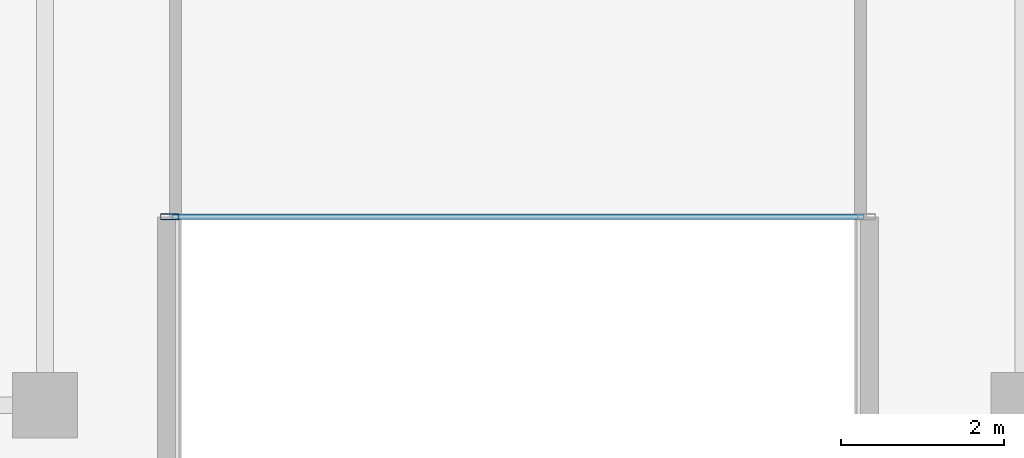
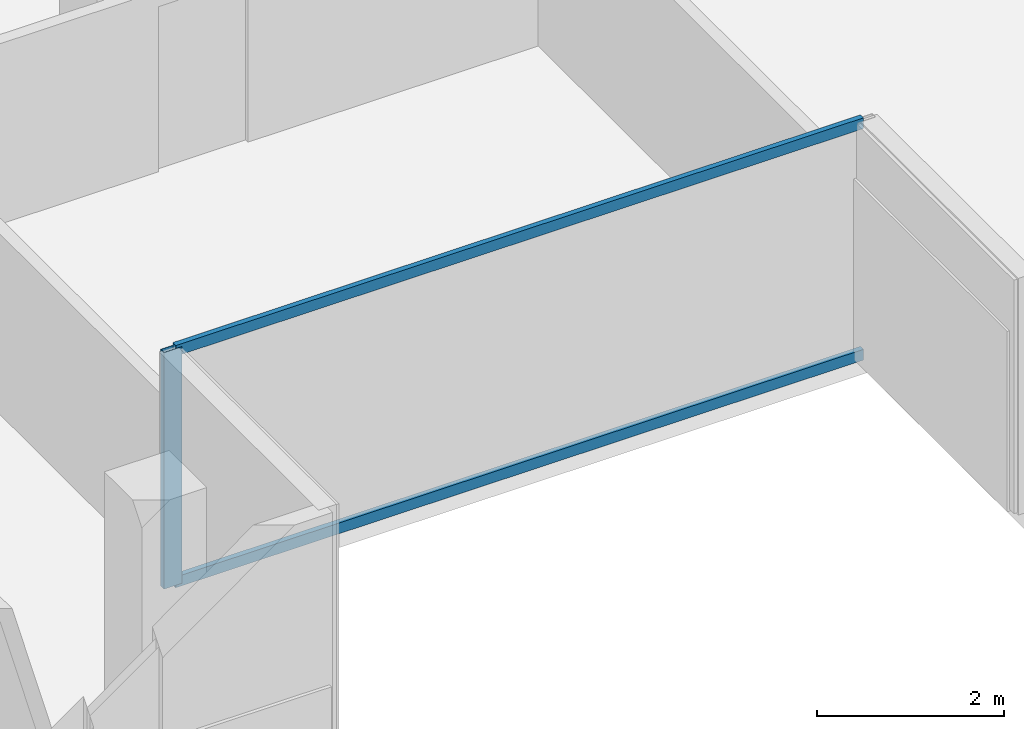
# One storey, part 4 of 29: 3 members, 1 element without a shape of its own.
"""IFC4 building model written with IfcOpenShell, lengths in metres."""

from ifc_helpers import new_model, si_unit, direction, frame, origin, origin_2d, place, context, subcontext, project, spatial, hollow_rectangle, extrude, material, layer, layer_set, material_profile, profile_set, type_object, element, aggregate, save


model = new_model("IFC4")

# Units and contexts
model_context = context("Model", 3, precision=1e-05, world=origin(), true_north=direction((0.0, 1.0)))
body_context = subcontext(model_context, "Body", "Model", "MODEL_VIEW")
ifc_project = project(units=[si_unit("LENGTHUNIT", "METRE"), si_unit("AREAUNIT", "SQUARE_METRE"), si_unit("VOLUMEUNIT", "CUBIC_METRE"), si_unit("PLANEANGLEUNIT", "RADIAN"), si_unit("MASSUNIT", "GRAM", prefix="KILO")], contexts=[model_context])

# Site, building, storey
site_placement = place(None, origin())
site = spatial("IfcSite", under=ifc_project, at=site_placement, CompositionType="ELEMENT")
building_placement = place(site_placement, origin())
building = spatial("IfcBuilding", under=site, at=building_placement, Name="Tanjung Sevakor Pilgrim Tower", CompositionType="ELEMENT")
storey_placement = place(building_placement, frame((0.0, 0.0, 181.830078125)))
storey = spatial("IfcBuildingStorey", under=building, at=storey_placement, Name="L50", CompositionType="ELEMENT", Elevation=181.830078125)

# Curtain wall, members
ifc_material_1 = material(Name="Aluminium 6063-T6 and Low-E Glass", Category="aluminium")
ifc_layer = layer(ifc_material_1, 0.179931640625)
ifc_layer_set = layer_set([ifc_layer], Name="CW-SYS-CLEFT")
curtain_wall_type = type_object("IfcCurtainWallType", Name="CW-SYS-CLEFT", PredefinedType="NOTDEFINED", material=ifc_layer_set)
curtain_wall_placement = place(storey_placement, origin())
curtain_wall = element("IfcCurtainWall", 1, at=curtain_wall_placement, inside=storey, type_object=curtain_wall_type, Name="L50 Curtain Wall CW-CLF-L50-2", PredefinedType="NOTDEFINED")
ifc_material_2 = material(Name="Aluminium 6063-T6", Category="aluminium")
ifc_material_profile_1 = material_profile(ifc_material_2, hollow_rectangle(XDim=0.074951171875, YDim=0.219970703125, WallThickness=0.0048828125, at=origin_2d()))
ifc_profile_set_1 = profile_set([ifc_material_profile_1], Name="Aluminium 6063-T6")
member_type_1 = type_object("IfcMemberType", Name="TYPE-CWM-2", PredefinedType="MULLION", material=ifc_profile_set_1)
member_1_placement = place(storey_placement, frame((43.527587890625, 15.56005859375, 0.0), z_axis=(0.0, 0.0, 1.0), x_axis=(0.0, 1.0, 0.0)))
member_1 = element("IfcMember", 2, at=member_1_placement, type_object=member_type_1, Name="CW-CLF mullion 1", PredefinedType="MULLION", context=body_context, shape_type="SweptSolid", body=[
    extrude(hollow_rectangle(XDim=0.074951171875, YDim=0.219970703125, WallThickness=0.0048828125, at=origin_2d()), origin(), (0.0, 0.0, 1.0), 3.079833984375),
])
ifc_material_3 = material(Name="Aluminium 6063-T6", Category="aluminium")
ifc_material_profile_2 = material_profile(ifc_material_3, hollow_rectangle(XDim=0.06494140625, YDim=0.139892578125, WallThickness=0.00390625, at=origin_2d()))
ifc_profile_set_2 = profile_set([ifc_material_profile_2], Name="Aluminium 6063-T6")
member_type_2 = type_object("IfcMemberType", Name="TYPE-CWT-1", PredefinedType="USERDEFINED", material=ifc_profile_set_2)
member_2_placement = place(storey_placement, frame((43.56494140625, 15.56005859375, 0.032470703125), z_axis=(1.0, 0.0, 0.0), x_axis=(0.0, 1.0, 0.0)))
member_2 = element("IfcMember", 3, at=member_2_placement, type_object=member_type_2, Name="CW-CLF transom 1.1", ObjectType="TRANSOM", PredefinedType="USERDEFINED", context=body_context, shape_type="SweptSolid", body=[
    extrude(hollow_rectangle(XDim=0.06494140625, YDim=0.139892578125, WallThickness=0.00390625, at=origin_2d()), origin(), (0.0, 0.0, 1.0), 8.469970703125),
])
member_3_placement = place(storey_placement, frame((43.56494140625, 15.56005859375, 3.04736328125), z_axis=(1.0, 0.0, 0.0), x_axis=(0.0, 1.0, 0.0)))
member_3 = element("IfcMember", 4, at=member_3_placement, type_object=member_type_2, Name="CW-CLF transom 1.2", ObjectType="TRANSOM", PredefinedType="USERDEFINED", context=body_context, shape_type="SweptSolid", body=[
    extrude(hollow_rectangle(XDim=0.06494140625, YDim=0.139892578125, WallThickness=0.00390625, at=origin_2d()), origin(), (0.0, 0.0, 1.0), 8.469970703125),
])
aggregate(curtain_wall, [member_1, member_2, member_3])

save(model, "model.ifc")
